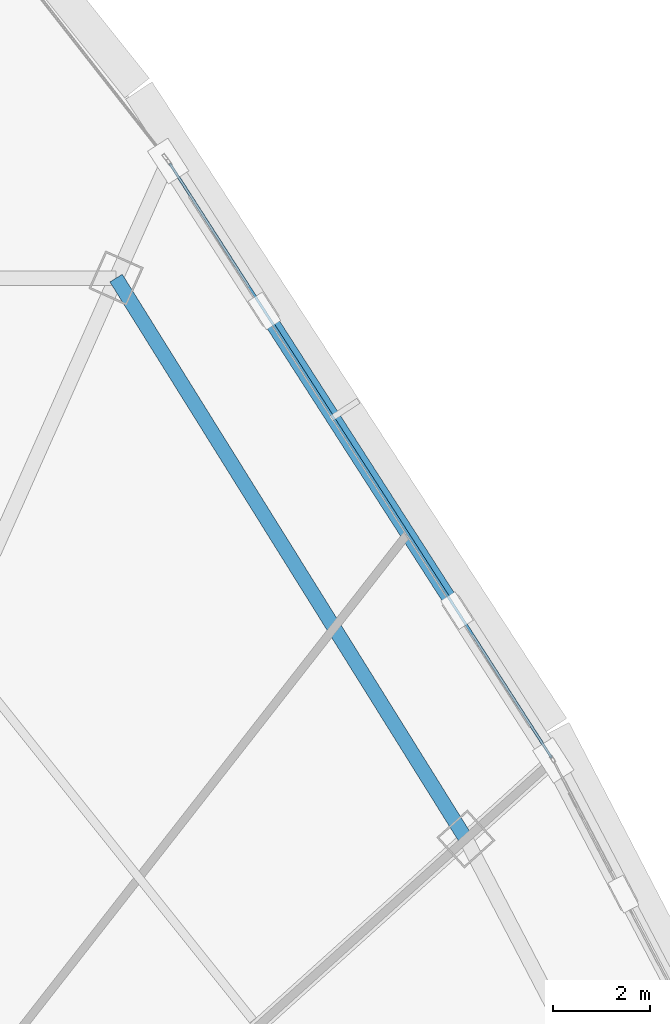
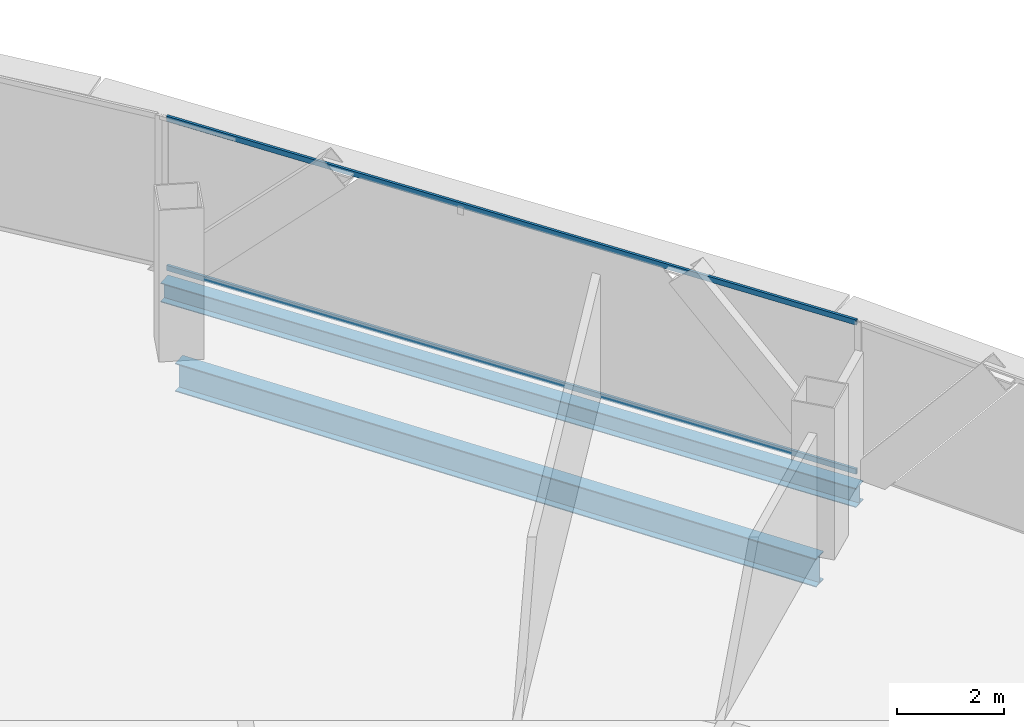
# One storey, part 22 of 37: 2 beams, 2 members, 1 element without a shape of its own.
"""IFC4 building model written with IfcOpenShell, lengths in metres."""

import ifcopenshell
import ifcopenshell.guid

model = None  # the IFC model being written
_history = None  # IfcOwnerHistory: only IFC2X3 demands one
_inside = {}  # id of a spatial element -> (the spatial element, [elements in it])
_under = {}  # id of a project, library or spatial element -> (it, [spatial elements below it])
_declared = {}  # id of a project -> (the project, [libraries it declares])
_typed = {}  # id of a type object -> (the type object, [elements of that type])
_made_of = {}  # id of a material, layer set ... -> (it, [elements and type objects made of it])


def new_model(schema):
    """Start an empty IFC model of exactly this schema.

    Asked for "IFC4X3", IfcOpenShell would pick the latest addendum, in which some entities
    have other attributes; the version numbers below select the first issue.
    IFC2X3 requires an IfcOwnerHistory on every rooted entity: one is made here for all.
    """
    global model, _history
    if schema == "IFC4X3":
        model = ifcopenshell.file(schema_version=(4, 3, 0, 0))
    else:
        model = ifcopenshell.file(schema=schema)
    _inside.clear()
    _under.clear()
    _declared.clear()
    _typed.clear()
    _made_of.clear()
    _history = None
    if model.schema == "IFC2X3":
        org = make("IfcOrganization", Name="unknown")
        user = make(
            "IfcPersonAndOrganization",
            ThePerson=make("IfcPerson", FamilyName="unknown"),
            TheOrganization=org,
        )
        app = make(
            "IfcApplication",
            ApplicationDeveloper=org,
            Version="unknown",
            ApplicationFullName="unknown",
            ApplicationIdentifier="unknown",
        )
        _history = make(
            "IfcOwnerHistory",
            OwningUser=user,
            OwningApplication=app,
            ChangeAction="ADDED",
            CreationDate=0,
        )
    return model


def make(cls, **values):
    """One entity of the class cls with the attributes given. An attribute that is None is left unset."""
    return model.create_entity(
        cls, **{name: value for name, value in values.items() if value is not None}
    )


def rooted(cls, **values):
    """An entity with a GlobalId (a new one), such as an element, a storey or a relation."""
    return make(cls, GlobalId=ifcopenshell.guid.new(), OwnerHistory=_history, **values)


def si_unit(unit_type, name, prefix=None):
    """IfcSIUnit, for example si_unit("LENGTHUNIT", "METRE", prefix="MILLI")."""
    return make("IfcSIUnit", UnitType=unit_type, Prefix=prefix, Name=name)


def assignment(units):
    """IfcUnitAssignment: the units of a project."""
    return None if units is None else make("IfcUnitAssignment", Units=units)


def point(xyz):
    """IfcCartesianPoint."""
    return None if xyz is None else make("IfcCartesianPoint", Coordinates=xyz)


def direction(xyz):
    """IfcDirection."""
    return None if xyz is None else make("IfcDirection", DirectionRatios=xyz)


def frame(location, z_axis=None, x_axis=None):
    """IfcAxis2Placement3D, a coordinate frame: its origin and axes. An axis left out is left unset."""
    return make(
        "IfcAxis2Placement3D",
        Location=point(location),
        Axis=direction(z_axis),
        RefDirection=direction(x_axis),
    )


def frame_2d(location, x_axis=None):
    """IfcAxis2Placement2D, a coordinate frame in the plane: its origin and x axis."""
    return make(
        "IfcAxis2Placement2D", Location=point(location), RefDirection=direction(x_axis)
    )


def origin():
    """The frame at (0, 0, 0) with its axes left unset."""
    return frame((0.0, 0.0, 0.0))


def origin_2d():
    """The frame at (0, 0) in the plane with its x axis left unset."""
    return frame_2d((0.0, 0.0))


def place(relative_to, where):
    """IfcLocalPlacement: puts the frame where relative to a parent placement (None: the world)."""
    return make(
        "IfcLocalPlacement", PlacementRelTo=relative_to, RelativePlacement=where
    )


def context(
    kind, dimensions, precision=None, world=None, true_north=None, identifier=None
):
    """IfcGeometricRepresentationContext, for example the 3D "Model" context."""
    return make(
        "IfcGeometricRepresentationContext",
        ContextIdentifier=identifier,
        ContextType=kind,
        CoordinateSpaceDimension=dimensions,
        Precision=precision,
        WorldCoordinateSystem=world,
        TrueNorth=true_north,
    )


def subcontext(parent, identifier, kind, view, scale=None):
    """IfcGeometricRepresentationSubContext, for example "Body" below "Model"."""
    return make(
        "IfcGeometricRepresentationSubContext",
        ContextIdentifier=identifier,
        ContextType=kind,
        ParentContext=parent,
        TargetScale=scale,
        TargetView=view,
    )


def project(units=None, contexts=None):
    """IfcProject with its units and contexts."""
    return rooted(
        "IfcProject",
        Name="project",
        RepresentationContexts=contexts,
        UnitsInContext=assignment(units),
    )


def spatial(cls, under=None, at=None, **own):
    """A site, building, storey or space (cls), placed at a placement, below another one or the project."""
    s = rooted(cls, ObjectPlacement=at, **own)
    if under is not None:
        _under.setdefault(under.id(), (under, []))[1].append(s)
    return s


def profile(cls, at=None, kind="AREA", **sizes):
    """A parametric profile (cls). Its sizes go by their IFC names, for example OverallWidth=200.0."""
    return make(cls, ProfileType=kind, Position=at, **sizes)


def hollow_rectangle(**sizes):
    """IfcRectangleHollowProfileDef."""
    return profile("IfcRectangleHollowProfileDef", **sizes)


def i_section(**sizes):
    """IfcIShapeProfileDef."""
    return profile("IfcIShapeProfileDef", **sizes)


def extrude(swept, where, along, depth):
    """IfcExtrudedAreaSolid: the profile swept, set in the frame where, extruded along a direction by depth."""
    return make(
        "IfcExtrudedAreaSolid",
        SweptArea=swept,
        Position=where,
        ExtrudedDirection=direction(along),
        Depth=depth,
    )


def shape(context_of_items, identifier, shape_type, items):
    """IfcShapeRepresentation: the items that make up one representation, for example the "Body"."""
    return make(
        "IfcShapeRepresentation",
        ContextOfItems=context_of_items,
        RepresentationIdentifier=identifier,
        RepresentationType=shape_type,
        Items=items,
    )


def source(mapping_origin, context_of_items, identifier, shape_type, items):
    """IfcRepresentationMap: a shape defined once, which mapped items show again and again."""
    return make(
        "IfcRepresentationMap",
        MappingOrigin=mapping_origin,
        MappedRepresentation=shape(context_of_items, identifier, shape_type, items),
    )


def transform(
    local_origin,
    x_axis=None,
    y_axis=None,
    z_axis=None,
    scale=None,
    scale2=None,
    scale3=None,
    uniform=True,
):
    """IfcCartesianTransformationOperator3D, or its non-uniform kind. x_axis, y_axis, z_axis: its Axis1, 2, 3."""
    if uniform:
        return make(
            "IfcCartesianTransformationOperator3D",
            Axis1=direction(x_axis),
            Axis2=direction(y_axis),
            LocalOrigin=point(local_origin),
            Scale=scale,
            Axis3=direction(z_axis),
        )
    return make(
        "IfcCartesianTransformationOperator3DnonUniform",
        Axis1=direction(x_axis),
        Axis2=direction(y_axis),
        LocalOrigin=point(local_origin),
        Scale=scale,
        Axis3=direction(z_axis),
        Scale2=scale2,
        Scale3=scale3,
    )


def mapped(mapping_source, mapping_target):
    """IfcMappedItem: shows the shape of a source again, moved by a transform."""
    return make(
        "IfcMappedItem", MappingSource=mapping_source, MappingTarget=mapping_target
    )


def material(Name=None, Category=None):
    """IfcMaterial."""
    return make("IfcMaterial", Name=Name, Category=Category)


def layer(
    of_material, thickness, ventilated=None, Name=None, Category=None, Priority=None
):
    """IfcMaterialLayer: one layer of a wall or slab, of a material (None: an air gap)."""
    return make(
        "IfcMaterialLayer",
        Material=of_material,
        LayerThickness=thickness,
        IsVentilated=ventilated,
        Name=Name,
        Category=Category,
        Priority=Priority,
    )


def layer_set(layers, Name=None):
    """IfcMaterialLayerSet."""
    return make("IfcMaterialLayerSet", MaterialLayers=layers, LayerSetName=Name)


def material_profile(
    of_material, cross_section, Name=None, Category=None, Priority=None
):
    """IfcMaterialProfile: a cross section and its material."""
    return make(
        "IfcMaterialProfile",
        Name=Name,
        Material=of_material,
        Profile=cross_section,
        Priority=Priority,
        Category=Category,
    )


def profile_set(profiles, Name=None, composite=None):
    """IfcMaterialProfileSet."""
    return make(
        "IfcMaterialProfileSet",
        Name=Name,
        MaterialProfiles=profiles,
        CompositeProfile=composite,
    )


def made_of(thing, what):
    """Note that an element or type object is made of a material, layer set ...; save() writes the relation."""
    if what is not None:
        _made_of.setdefault(what.id(), (what, []))[1].append(thing)
    return thing


def type_object(cls, material=None, **own):
    """A type object (cls), such as IfcWallType, which elements share."""
    return made_of(rooted(cls, **own), material)


def element(
    cls,
    number,
    at=None,
    inside=None,
    cuts=None,
    type_object=None,
    material=None,
    context=None,
    identifier="Body",
    shape_type=None,
    held_by="IfcProductDefinitionShape",
    body=None,
    shapes=None,
    **own,
):
    """One element of the class cls, such as IfcWall. Its Tag is "e" and its number.

    at: its placement. inside: the storey or other place that contains it. cuts: it is an
    opening in that element (IfcRelVoidsElement). A single representation is given by context,
    identifier, shape_type and body (its items); several are given by shapes. held_by: the class
    of the entity that holds the representations. save() writes the other relations.
    """
    e = rooted(cls, Tag="e%d" % number, ObjectPlacement=at, **own)
    if body is not None:
        shapes = [shape(context, identifier, shape_type, body)]
    if shapes is not None:
        e.Representation = make(held_by, Representations=shapes)
    if inside is not None:
        _inside.setdefault(inside.id(), (inside, []))[1].append(e)
    if cuts is not None:
        rooted(
            "IfcRelVoidsElement", RelatingBuildingElement=cuts, RelatedOpeningElement=e
        )
    if type_object is not None:
        _typed.setdefault(type_object.id(), (type_object, []))[1].append(e)
    return made_of(e, material)


def aggregate(whole, parts):
    """IfcRelAggregates: a whole, such as a stair, and the parts it consists of."""
    return rooted("IfcRelAggregates", RelatingObject=whole, RelatedObjects=parts)


def save(model, path):
    """Write the relations noted so far, then the file.

    IfcRelAggregates (storeys below a building ...), IfcRelContainedInSpatialStructure (elements
    in a storey), IfcRelDefinesByType, IfcRelAssociatesMaterial and IfcRelDeclares: one each for
    every whole, place, type object, material and project.
    """
    for whole, parts in _under.values():
        aggregate(whole, parts)
    for where, things in _inside.values():
        rooted(
            "IfcRelContainedInSpatialStructure",
            RelatedElements=things,
            RelatingStructure=where,
        )
    for kind, things in _typed.values():
        rooted("IfcRelDefinesByType", RelatedObjects=things, RelatingType=kind)
    for what, things in _made_of.values():
        rooted("IfcRelAssociatesMaterial", RelatedObjects=things, RelatingMaterial=what)
    for by, libraries in _declared.values():
        rooted("IfcRelDeclares", RelatingContext=by, RelatedDefinitions=libraries)
    model.write(path)


model = new_model("IFC4")

# Units and contexts
model_context = context("Model", 3, precision=1e-05, world=origin(), true_north=direction((0.0, 1.0)))
body_context = subcontext(model_context, "Body", "Model", "MODEL_VIEW")
ifc_project = project(units=[si_unit("LENGTHUNIT", "METRE"), si_unit("AREAUNIT", "SQUARE_METRE"), si_unit("VOLUMEUNIT", "CUBIC_METRE"), si_unit("PLANEANGLEUNIT", "RADIAN"), si_unit("MASSUNIT", "GRAM", prefix="KILO"), si_unit("THERMODYNAMICTEMPERATUREUNIT", "KELVIN"), si_unit("POWERUNIT", "WATT")], contexts=[model_context])

# Site, building, storey
site_placement = place(None, origin())
site = spatial("IfcSite", under=ifc_project, at=site_placement, CompositionType="ELEMENT")
building_placement = place(site_placement, origin())
building = spatial("IfcBuilding", under=site, at=building_placement, Name="Yunzhuo Pagoda Commons", CompositionType="ELEMENT")
storey_placement = place(building_placement, frame((0.0, 0.0, 240.800048828125)))
storey = spatial("IfcBuildingStorey", under=building, at=storey_placement, Name="L60", CompositionType="ELEMENT", Elevation=240.800048828125)

# Beams
ifc_material_1 = material(Name="Structural steel Q355B", Category="steel")
ifc_material_profile_1 = material_profile(ifc_material_1, i_section(OverallWidth=0.300048828125, OverallDepth=0.64990234375, WebThickness=0.012939453125, FlangeThickness=0.02197265625, at=origin_2d()), Name="Structural steel Q355B")
ifc_profile_set_1 = profile_set([ifc_material_profile_1], Name="Structural steel Q355B")
beam_type_1 = type_object("IfcBeamType", Name="B-RG2 Beam HN 650x300x13x22", PredefinedType="BEAM", material=ifc_profile_set_1)
shared_shape_1 = source(origin(), body_context, "Body", "SweptSolid", [
    extrude(i_section(OverallWidth=0.300048828125, OverallDepth=0.64990234375, WebThickness=0.012939453125, FlangeThickness=0.02197265625, at=origin_2d()), origin(), (0.0, 0.0, 1.0), 13.615478515625),
])
beam_1_placement = place(storey_placement, frame((68.61181640625, 52.259033203125, -0.5849609375), z_axis=(-0.529178300485, 0.848510651846, 0.0), x_axis=(-0.848510651846, -0.529178300485, 0.0)))
element("IfcBeam", 1, at=beam_1_placement, inside=storey, type_object=beam_type_1, Name="L60 column-ring beam 7", PredefinedType="BEAM", context=body_context, shape_type="MappedRepresentation", body=[
    mapped(shared_shape_1, transform((0.0, 0.0, 0.0), scale=1.0)),
])
ifc_material_profile_2 = material_profile(ifc_material_1, i_section(OverallWidth=0.300048828125, OverallDepth=0.43994140625, WebThickness=0.010986328125, FlangeThickness=0.01806640625, at=origin_2d()), Name="Structural steel Q355B")
ifc_profile_set_2 = profile_set([ifc_material_profile_2], Name="Structural steel Q355B")
beam_type_2 = type_object("IfcBeamType", Name="B-SP2 Beam HM 440x300x11x18", PredefinedType="BEAM", material=ifc_profile_set_2)
shared_shape_2 = source(origin(), body_context, "Body", "SweptSolid", [
    extrude(i_section(OverallWidth=0.300048828125, OverallDepth=0.43994140625, WebThickness=0.010986328125, FlangeThickness=0.01806640625, at=origin_2d()), origin(), (0.0, 0.0, 1.0), 14.67138671875),
])
beam_2_placement = place(storey_placement, frame((70.41162109375, 53.879638671875, -0.47998046875), z_axis=(-0.540601148893, 0.841279024947, 0.0), x_axis=(-0.841279024947, -0.540601148893, 0.0)))
element("IfcBeam", 2, at=beam_2_placement, inside=storey, type_object=beam_type_2, Name="L60 facade edge spandrel beam F2.3", PredefinedType="BEAM", context=body_context, shape_type="MappedRepresentation", body=[
    mapped(shared_shape_2, transform((0.0, 0.0, 0.0), scale=1.0)),
])

# Curtain wall, members
ifc_material_2 = material(Name="Anodized aluminium 6063-T6", Category="aluminium")
ifc_layer = layer(ifc_material_2, 0.139892578125)
ifc_layer_set = layer_set([ifc_layer], Name="Anodized aluminium 6063-T6")
curtain_wall_type = type_object("IfcCurtainWallType", Name="CW-HI High-Zone Ribbon Curtain Wall", PredefinedType="NOTDEFINED", material=ifc_layer_set)
curtain_wall_placement = place(storey_placement, origin())
curtain_wall = element("IfcCurtainWall", 3, at=curtain_wall_placement, inside=storey, type_object=curtain_wall_type, Name="L60 curtain wall CW-L60-F2B4", PredefinedType="NOTDEFINED")
ifc_material_profile_3 = material_profile(ifc_material_2, hollow_rectangle(XDim=0.054931640625, YDim=0.1201171875, WallThickness=0.00341796875, at=origin_2d()), Name="Anodized aluminium 6063-T6")
ifc_profile_set_3 = profile_set([ifc_material_profile_3], Name="Anodized aluminium 6063-T6")
member_type = type_object("IfcMemberType", Name="CW-HI-T Transom RHS 120x55x3.5", PredefinedType="USERDEFINED", material=ifc_profile_set_3)
shared_shape_3 = source(origin(), body_context, "Body", "SweptSolid", [
    extrude(hollow_rectangle(XDim=0.054931640625, YDim=0.1201171875, WallThickness=0.00341796875, at=origin_2d()), origin(), (0.0, 0.0, 1.0), 14.5517578125),
])
member_1_placement = place(storey_placement, frame((70.379150390625, 53.93017578125, 0.02734375), z_axis=(-0.540605797284, 0.841276037899, 0.0), x_axis=(-0.841276037899, -0.540605797284, 0.0)))
member_1 = element("IfcMember", 4, at=member_1_placement, type_object=member_type, Name="CW transom 1.1", ObjectType="TRANSOM", PredefinedType="USERDEFINED", context=body_context, shape_type="MappedRepresentation", body=[
    mapped(shared_shape_3, transform((0.0, 0.0, 0.0), scale=1.0)),
])
member_2_placement = place(storey_placement, frame((70.379150390625, 53.93017578125, 3.4423828125), z_axis=(-0.540605797284, 0.841276037899, 0.0), x_axis=(-0.841276037899, -0.540605797284, 0.0)))
member_2 = element("IfcMember", 5, at=member_2_placement, type_object=member_type, Name="CW transom 1.2", ObjectType="TRANSOM", PredefinedType="USERDEFINED", context=body_context, shape_type="MappedRepresentation", body=[
    mapped(shared_shape_3, transform((0.0, 0.0, 0.0), scale=1.0)),
])
aggregate(curtain_wall, [member_1, member_2])

save(model, "model.ifc")
